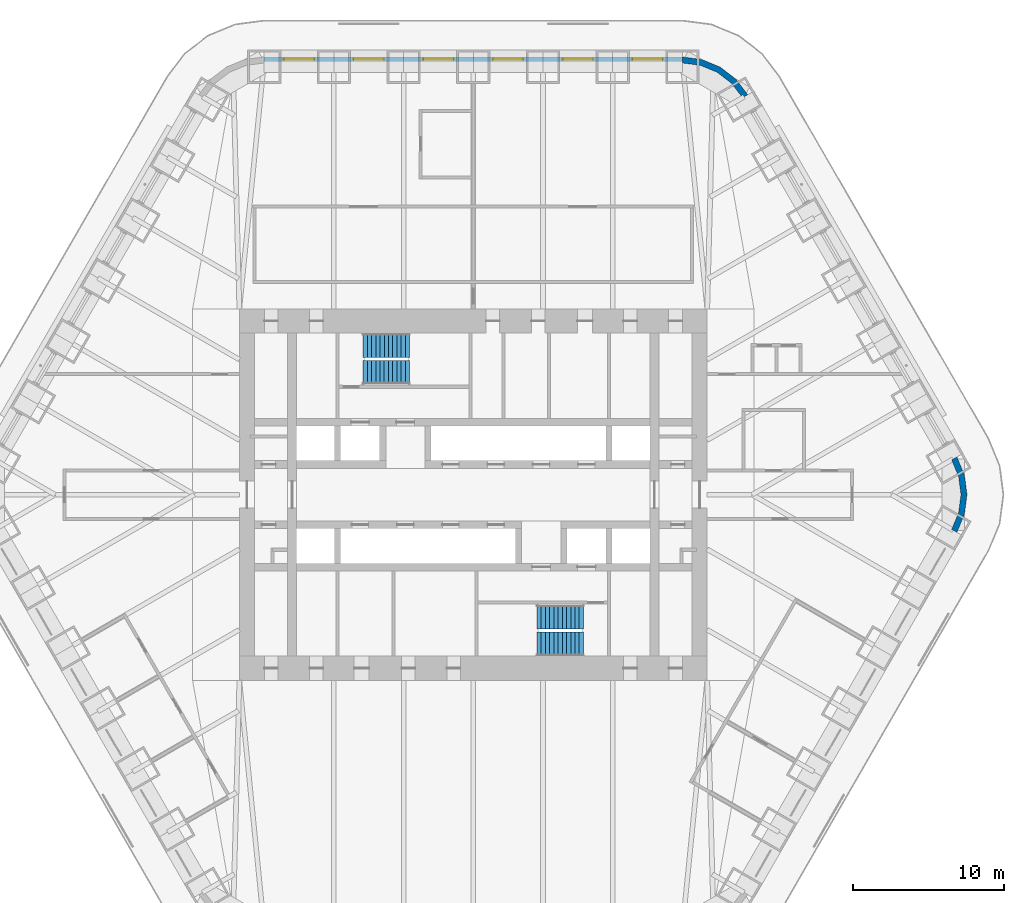
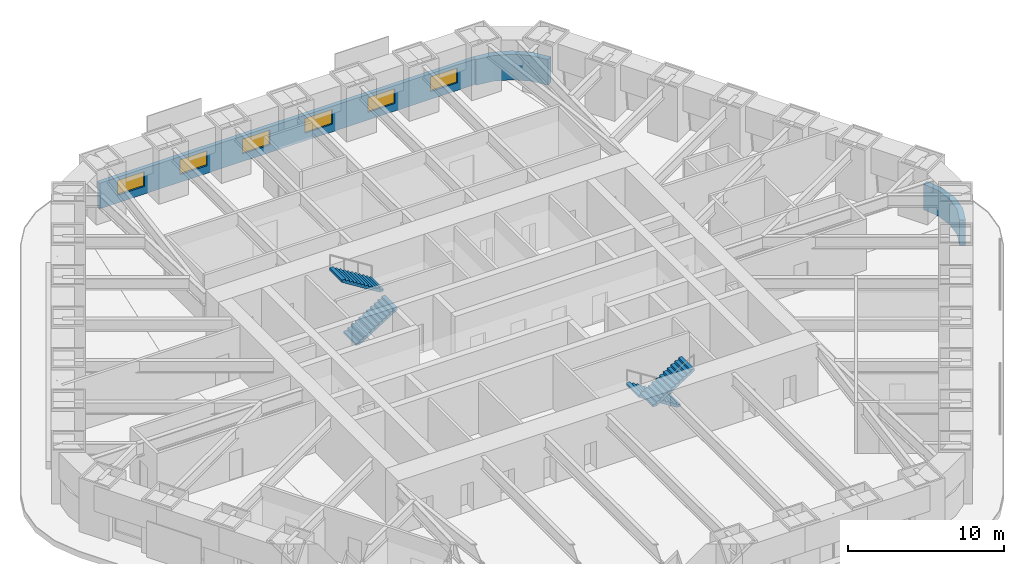
# One storey, part 18 of 20: 6 windows, 4 stair flights, 3 walls, 6 openings, 2 elements without a shape of their own.
"""IFC4 building model written with IfcOpenShell, lengths in metres."""

from ifc_helpers import new_model, si_unit, direction, frame, frame_2d, origin, place, context, subcontext, project, spatial, polyline, rectangle, outline, extrude, material, layer, layer_set, type_object, element, fill, aggregate, save


model = new_model("IFC4")

# Units and contexts
model_context = context("Model", 3, precision=1e-05, world=origin(), true_north=direction((0.0, 1.0)))
body_context = subcontext(model_context, "Body", "Model", "MODEL_VIEW")
ifc_project = project(units=[si_unit("LENGTHUNIT", "METRE"), si_unit("AREAUNIT", "SQUARE_METRE"), si_unit("VOLUMEUNIT", "CUBIC_METRE"), si_unit("PLANEANGLEUNIT", "RADIAN"), si_unit("MASSUNIT", "GRAM", prefix="KILO")], contexts=[model_context])

# Site, building, storey
site_placement = place(None, origin())
site = spatial("IfcSite", under=ifc_project, at=site_placement, CompositionType="ELEMENT")
building_placement = place(site_placement, origin())
building = spatial("IfcBuilding", under=site, at=building_placement, Name="Tarfa Lantern Tower", CompositionType="ELEMENT")
storey_placement = place(building_placement, frame((0.0, 0.0, 215.5)))
storey = spatial("IfcBuildingStorey", under=building, at=storey_placement, Name="L48", CompositionType="ELEMENT", Elevation=215.5)

# Wall, openings, windows
ifc_material_1 = material(Name="Limestone cladding on blockwork", Category="masonry")
ifc_layer_1 = layer(ifc_material_1, 0.300048828125)
ifc_layer_set_1 = layer_set([ifc_layer_1], Name="EW1 STONE-CLAD WALL 300")
wall_type_1 = type_object("IfcWallType", Name="EW1 STONE-CLAD WALL 300", PredefinedType="SOLIDWALL", material=ifc_layer_set_1)
wall_1_placement = place(storey_placement, frame((13.8564453125, 28.85009765625, 0.0), z_axis=(0.0, 0.0, 1.0), x_axis=(-1.0, 0.0, 0.0)))
wall_1 = element("IfcWall", 1, at=wall_1_placement, inside=storey, type_object=wall_type_1, Name="Stone wall N", PredefinedType="SOLIDWALL", context=body_context, shape_type="SweptSolid", body=[
    extrude(rectangle(XDim=27.712890625, YDim=0.300048828125, at=frame_2d((13.8564453125, 0.0))), origin(), (0.0, 0.0, 1.0), 2.0),
])
opening_1_placement = place(wall_1_placement, frame((1.309326171875, 0.0, 0.60009765625)))
opening_1 = element("IfcOpeningElement", 2, at=opening_1_placement, cuts=wall_1, Name="Opening W12", PredefinedType="OPENING", context=body_context, shape_type="SweptSolid", body=[
    extrude(rectangle(XDim=2.0, YDim=1.14990234375, at=frame_2d((1.0, 0.574951171875))), frame((0.0, 0.159912109375, 0.0), z_axis=(0.0, -1.0, 0.0), x_axis=(1.0, 0.0, 0.0)), (0.0, 0.0, 1.0), 0.320068359375),
])
opening_2_placement = place(wall_1_placement, frame((5.92822265625, 0.0, 0.60009765625)))
opening_2 = element("IfcOpeningElement", 3, at=opening_2_placement, cuts=wall_1, Name="Opening W12", PredefinedType="OPENING", context=body_context, shape_type="SweptSolid", body=[
    extrude(rectangle(XDim=2.0, YDim=1.14990234375, at=frame_2d((1.0, 0.574951171875))), frame((0.0, 0.159912109375, 0.0), z_axis=(0.0, -1.0, 0.0), x_axis=(1.0, 0.0, 0.0)), (0.0, 0.0, 1.0), 0.320068359375),
])
opening_3_placement = place(wall_1_placement, frame((10.547119140625, 0.0, 0.60009765625)))
opening_3 = element("IfcOpeningElement", 4, at=opening_3_placement, cuts=wall_1, Name="Opening W12", PredefinedType="OPENING", context=body_context, shape_type="SweptSolid", body=[
    extrude(rectangle(XDim=2.0, YDim=1.14990234375, at=frame_2d((1.0, 0.574951171875))), frame((0.0, 0.159912109375, 0.0), z_axis=(0.0, -1.0, 0.0), x_axis=(1.0, 0.0, 0.0)), (0.0, 0.0, 1.0), 0.320068359375),
])
opening_4_placement = place(wall_1_placement, frame((15.165771484375, 0.0, 0.60009765625)))
opening_4 = element("IfcOpeningElement", 5, at=opening_4_placement, cuts=wall_1, Name="Opening W12", PredefinedType="OPENING", context=body_context, shape_type="SweptSolid", body=[
    extrude(rectangle(XDim=2.0, YDim=1.14990234375, at=frame_2d((1.0, 0.574951171875))), frame((0.0, 0.159912109375, 0.0), z_axis=(0.0, -1.0, 0.0), x_axis=(1.0, 0.0, 0.0)), (0.0, 0.0, 1.0), 0.320068359375),
])
opening_5_placement = place(wall_1_placement, frame((19.78466796875, 0.0, 0.60009765625)))
opening_5 = element("IfcOpeningElement", 6, at=opening_5_placement, cuts=wall_1, Name="Opening W12", PredefinedType="OPENING", context=body_context, shape_type="SweptSolid", body=[
    extrude(rectangle(XDim=2.0, YDim=1.14990234375, at=frame_2d((1.0, 0.574951171875))), frame((0.0, 0.159912109375, 0.0), z_axis=(0.0, -1.0, 0.0), x_axis=(1.0, 0.0, 0.0)), (0.0, 0.0, 1.0), 0.320068359375),
])
opening_6_placement = place(wall_1_placement, frame((24.4033203125, 0.0, 0.60009765625)))
opening_6 = element("IfcOpeningElement", 7, at=opening_6_placement, cuts=wall_1, Name="Opening W12", PredefinedType="OPENING", context=body_context, shape_type="SweptSolid", body=[
    extrude(rectangle(XDim=2.0, YDim=1.14990234375, at=frame_2d((1.0, 0.574951171875))), frame((0.0, 0.159912109375, 0.0), z_axis=(0.0, -1.0, 0.0), x_axis=(1.0, 0.0, 0.0)), (0.0, 0.0, 1.0), 0.320068359375),
])
ifc_material_2 = material(Name="Aluminium frame, double glazed", Category="aluminium")
window_type = type_object("IfcWindowType", Name="W12 FULL-HEIGHT GLAZING 2000x1150", PartitioningType="SINGLE_PANEL", PredefinedType="WINDOW", material=ifc_material_2)
window_1_placement = place(opening_1_placement, origin())
window_1 = element("IfcWindow", 8, at=window_1_placement, inside=storey, type_object=window_type, Name="Window N 1", OverallHeight=1.14990234375, OverallWidth=2.0, PartitioningType="SINGLE_PANEL", PredefinedType="WINDOW", context=body_context, shape_type="SweptSolid", body=[
    extrude(rectangle(XDim=2.0, YDim=1.14990234375, at=frame_2d((1.0, 0.574951171875))), frame((0.0, 0.030029296875, 0.0), z_axis=(0.0, -1.0, 0.0), x_axis=(1.0, 0.0, 0.0)), (0.0, 0.0, 1.0), 0.06005859375),
])
fill(opening_1, window_1)
window_2_placement = place(opening_2_placement, origin())
window_2 = element("IfcWindow", 9, at=window_2_placement, inside=storey, type_object=window_type, Name="Window N 2", OverallHeight=1.14990234375, OverallWidth=2.0, PartitioningType="SINGLE_PANEL", PredefinedType="WINDOW", context=body_context, shape_type="SweptSolid", body=[
    extrude(rectangle(XDim=2.0, YDim=1.14990234375, at=frame_2d((1.0, 0.574951171875))), frame((0.0, 0.030029296875, 0.0), z_axis=(0.0, -1.0, 0.0), x_axis=(1.0, 0.0, 0.0)), (0.0, 0.0, 1.0), 0.06005859375),
])
fill(opening_2, window_2)
window_3_placement = place(opening_3_placement, origin())
window_3 = element("IfcWindow", 10, at=window_3_placement, inside=storey, type_object=window_type, Name="Window N 3", OverallHeight=1.14990234375, OverallWidth=2.0, PartitioningType="SINGLE_PANEL", PredefinedType="WINDOW", context=body_context, shape_type="SweptSolid", body=[
    extrude(rectangle(XDim=2.0, YDim=1.14990234375, at=frame_2d((1.0, 0.574951171875))), frame((0.0, 0.030029296875, 0.0), z_axis=(0.0, -1.0, 0.0), x_axis=(1.0, 0.0, 0.0)), (0.0, 0.0, 1.0), 0.06005859375),
])
fill(opening_3, window_3)
window_4_placement = place(opening_4_placement, origin())
window_4 = element("IfcWindow", 11, at=window_4_placement, inside=storey, type_object=window_type, Name="Window N 4", OverallHeight=1.14990234375, OverallWidth=2.0, PartitioningType="SINGLE_PANEL", PredefinedType="WINDOW", context=body_context, shape_type="SweptSolid", body=[
    extrude(rectangle(XDim=2.0, YDim=1.14990234375, at=frame_2d((1.0, 0.574951171875))), frame((0.0, 0.030029296875, 0.0), z_axis=(0.0, -1.0, 0.0), x_axis=(1.0, 0.0, 0.0)), (0.0, 0.0, 1.0), 0.06005859375),
])
fill(opening_4, window_4)
window_5_placement = place(opening_5_placement, origin())
window_5 = element("IfcWindow", 12, at=window_5_placement, inside=storey, type_object=window_type, Name="Window N 5", OverallHeight=1.14990234375, OverallWidth=2.0, PartitioningType="SINGLE_PANEL", PredefinedType="WINDOW", context=body_context, shape_type="SweptSolid", body=[
    extrude(rectangle(XDim=2.0, YDim=1.14990234375, at=frame_2d((1.0, 0.574951171875))), frame((0.0, 0.030029296875, 0.0), z_axis=(0.0, -1.0, 0.0), x_axis=(1.0, 0.0, 0.0)), (0.0, 0.0, 1.0), 0.06005859375),
])
fill(opening_5, window_5)
window_6_placement = place(opening_6_placement, origin())
window_6 = element("IfcWindow", 13, at=window_6_placement, inside=storey, type_object=window_type, Name="Window N 6", OverallHeight=1.14990234375, OverallWidth=2.0, PartitioningType="SINGLE_PANEL", PredefinedType="WINDOW", context=body_context, shape_type="SweptSolid", body=[
    extrude(rectangle(XDim=2.0, YDim=1.14990234375, at=frame_2d((1.0, 0.574951171875))), frame((0.0, 0.030029296875, 0.0), z_axis=(0.0, -1.0, 0.0), x_axis=(1.0, 0.0, 0.0)), (0.0, 0.0, 1.0), 0.06005859375),
])
fill(opening_6, window_6)

# Walls
ifc_layer_2 = layer(ifc_material_1, 0.39990234375)
ifc_layer_set_2 = layer_set([ifc_layer_2], Name="EW2 CURVED STONE CORNER 400")
wall_type_2 = type_object("IfcWallType", Name="EW2 CURVED STONE CORNER 400", PredefinedType="SOLIDWALL", material=ifc_layer_set_2)
wall_2_placement = place(storey_placement, origin())
element("IfcWall", 14, at=wall_2_placement, inside=storey, type_object=wall_type_2, Name="Stone corner NE-N", PredefinedType="SOLIDWALL", context=body_context, shape_type="SweptSolid", body=[
    extrude(outline(polyline([(18.1865234375, 26.5), (17.391845703125, 27.53564453125), (16.3564453125, 28.330078125), (15.150390625, 28.82958984375), (13.8564453125, 29.0), (13.8564453125, 28.60009765625), (15.046875, 28.443359375), (16.156494140625, 27.983642578125), (17.109130859375, 27.252685546875), (17.840087890625, 26.300048828125), (18.1865234375, 26.5)])), origin(), (0.0, 0.0, 1.0), 2.0),
])
wall_3_placement = place(storey_placement, origin())
element("IfcWall", 15, at=wall_3_placement, inside=storey, type_object=wall_type_2, Name="Stone corner SE-NE", PredefinedType="SOLIDWALL", context=body_context, shape_type="SweptSolid", body=[
    extrude(outline(polyline([(32.04296875, -2.5), (32.54248046875, -1.294189453125), (32.712890625, 0.0), (32.54248046875, 1.294189453125), (32.04296875, 2.5), (31.696533203125, 2.300048828125), (32.156005859375, 1.190673828125), (32.312744140625, 0.0), (32.156005859375, -1.190673828125), (31.696533203125, -2.300048828125), (32.04296875, -2.5)])), origin(), (0.0, 0.0, 1.0), 2.0),
])

# Stair, stair flights
ifc_material_3 = material(Name="Concrete C40/50", Category="concrete")
stair_type = type_object("IfcStairType", Name="ST-T10 HALF-TURN STAIR 4200 RISE", PredefinedType="HALF_TURN_STAIR", material=ifc_material_3)
stair_1_placement = place(storey_placement, origin())
stair_1 = element("IfcStair", 16, at=stair_1_placement, inside=storey, type_object=stair_type, Name="Stair ST1", PredefinedType="HALF_TURN_STAIR")
stair_flight_type = type_object("IfcStairFlightType", Name="SF1 STAIR FLIGHT", PredefinedType="STRAIGHT", material=ifc_material_3)
stair_flight_1_placement = place(storey_placement, frame((-7.300048828125, 8.10009765625, 0.0), z_axis=(0.0, 0.0, 1.0), x_axis=(1.0, 0.0, 0.0)))
stair_flight_1 = element("IfcStairFlight", 17, at=stair_flight_1_placement, type_object=stair_flight_type, Name="ST1 flight 1", NumberOfRisers=12, NumberOfTreads=11, PredefinedType="STRAIGHT", RiserHeight=0.175, TreadLength=0.28, context=body_context, shape_type="SweptSolid", body=[
    extrude(outline(polyline([(0.0, 0.0), (0.0, 0.175048828125), (0.280029296875, 0.175048828125), (0.280029296875, 0.35009765625), (0.56005859375, 0.35009765625), (0.56005859375, 0.52490234375), (0.840087890625, 0.52490234375), (0.840087890625, 0.699951171875), (1.1201171875, 0.699951171875), (1.1201171875, 0.875), (1.39990234375, 0.875), (1.39990234375, 1.050048828125), (1.679931640625, 1.050048828125), (1.679931640625, 1.22509765625), (1.9599609375, 1.22509765625), (1.9599609375, 1.39990234375), (2.239990234375, 1.39990234375), (2.239990234375, 1.574951171875), (2.52001953125, 1.574951171875), (2.52001953125, 1.75), (2.800048828125, 1.75), (2.800048828125, 1.925048828125), (3.080078125, 1.925048828125), (3.080078125, 2.10009765625), (3.080078125, 1.748291015625), (0.28271484375, 0.0), (0.0, 0.0)])), frame((0.0, 0.800048828125, 0.0), z_axis=(0.0, -1.0, 0.0), x_axis=(1.0, 0.0, 0.0)), (0.0, 0.0, 1.0), 1.60009765625),
])
stair_flight_2_placement = place(storey_placement, frame((-4.219970703125, 9.89990234375, 2.10009765625), z_axis=(0.0, 0.0, 1.0), x_axis=(-1.0, 0.0, 0.0)))
stair_flight_2 = element("IfcStairFlight", 18, at=stair_flight_2_placement, type_object=stair_flight_type, Name="ST1 flight 2", NumberOfRisers=12, NumberOfTreads=11, PredefinedType="STRAIGHT", RiserHeight=0.175, TreadLength=0.28, context=body_context, shape_type="SweptSolid", body=[
    extrude(outline(polyline([(0.0, 0.0), (0.0, 0.175048828125), (0.280029296875, 0.175048828125), (0.280029296875, 0.35009765625), (0.56005859375, 0.35009765625), (0.56005859375, 0.52490234375), (0.840087890625, 0.52490234375), (0.840087890625, 0.699951171875), (1.1201171875, 0.699951171875), (1.1201171875, 0.875), (1.39990234375, 0.875), (1.39990234375, 1.050048828125), (1.679931640625, 1.050048828125), (1.679931640625, 1.22509765625), (1.9599609375, 1.22509765625), (1.9599609375, 1.39990234375), (2.239990234375, 1.39990234375), (2.239990234375, 1.574951171875), (2.52001953125, 1.574951171875), (2.52001953125, 1.75), (2.800048828125, 1.75), (2.800048828125, 1.925048828125), (3.080078125, 1.925048828125), (3.080078125, 2.10009765625), (3.080078125, 1.748291015625), (0.28271484375, 0.0), (0.0, 0.0)])), frame((0.0, 0.800048828125, 0.0), z_axis=(0.0, -1.0, 0.0), x_axis=(1.0, 0.0, 0.0)), (0.0, 0.0, 1.0), 1.60009765625),
])
aggregate(stair_1, [stair_flight_1, stair_flight_2])

stair_2_placement = place(storey_placement, origin())
stair_2 = element("IfcStair", 19, at=stair_2_placement, inside=storey, type_object=stair_type, Name="Stair ST2", PredefinedType="HALF_TURN_STAIR")
stair_flight_3_placement = place(storey_placement, frame((7.300048828125, -8.10009765625, 0.0), z_axis=(0.0, 0.0, 1.0), x_axis=(-1.0, 0.0, 0.0)))
stair_flight_3 = element("IfcStairFlight", 20, at=stair_flight_3_placement, type_object=stair_flight_type, Name="ST2 flight 1", NumberOfRisers=12, NumberOfTreads=11, PredefinedType="STRAIGHT", RiserHeight=0.175, TreadLength=0.28, context=body_context, shape_type="SweptSolid", body=[
    extrude(outline(polyline([(0.0, 0.0), (0.0, 0.175048828125), (0.280029296875, 0.175048828125), (0.280029296875, 0.35009765625), (0.56005859375, 0.35009765625), (0.56005859375, 0.52490234375), (0.840087890625, 0.52490234375), (0.840087890625, 0.699951171875), (1.1201171875, 0.699951171875), (1.1201171875, 0.875), (1.39990234375, 0.875), (1.39990234375, 1.050048828125), (1.679931640625, 1.050048828125), (1.679931640625, 1.22509765625), (1.9599609375, 1.22509765625), (1.9599609375, 1.39990234375), (2.239990234375, 1.39990234375), (2.239990234375, 1.574951171875), (2.52001953125, 1.574951171875), (2.52001953125, 1.75), (2.800048828125, 1.75), (2.800048828125, 1.925048828125), (3.080078125, 1.925048828125), (3.080078125, 2.10009765625), (3.080078125, 1.748291015625), (0.28271484375, 0.0), (0.0, 0.0)])), frame((0.0, 0.800048828125, 0.0), z_axis=(0.0, -1.0, 0.0), x_axis=(1.0, 0.0, 0.0)), (0.0, 0.0, 1.0), 1.60009765625),
])
stair_flight_4_placement = place(storey_placement, frame((4.219970703125, -9.89990234375, 2.10009765625), z_axis=(0.0, 0.0, 1.0), x_axis=(1.0, 0.0, 0.0)))
stair_flight_4 = element("IfcStairFlight", 21, at=stair_flight_4_placement, type_object=stair_flight_type, Name="ST2 flight 2", NumberOfRisers=12, NumberOfTreads=11, PredefinedType="STRAIGHT", RiserHeight=0.175, TreadLength=0.28, context=body_context, shape_type="SweptSolid", body=[
    extrude(outline(polyline([(0.0, 0.0), (0.0, 0.175048828125), (0.280029296875, 0.175048828125), (0.280029296875, 0.35009765625), (0.56005859375, 0.35009765625), (0.56005859375, 0.52490234375), (0.840087890625, 0.52490234375), (0.840087890625, 0.699951171875), (1.1201171875, 0.699951171875), (1.1201171875, 0.875), (1.39990234375, 0.875), (1.39990234375, 1.050048828125), (1.679931640625, 1.050048828125), (1.679931640625, 1.22509765625), (1.9599609375, 1.22509765625), (1.9599609375, 1.39990234375), (2.239990234375, 1.39990234375), (2.239990234375, 1.574951171875), (2.52001953125, 1.574951171875), (2.52001953125, 1.75), (2.800048828125, 1.75), (2.800048828125, 1.925048828125), (3.080078125, 1.925048828125), (3.080078125, 2.10009765625), (3.080078125, 1.748291015625), (0.28271484375, 0.0), (0.0, 0.0)])), frame((0.0, 0.800048828125, 0.0), z_axis=(0.0, -1.0, 0.0), x_axis=(1.0, 0.0, 0.0)), (0.0, 0.0, 1.0), 1.60009765625),
])
aggregate(stair_2, [stair_flight_3, stair_flight_4])

save(model, "model.ifc")
